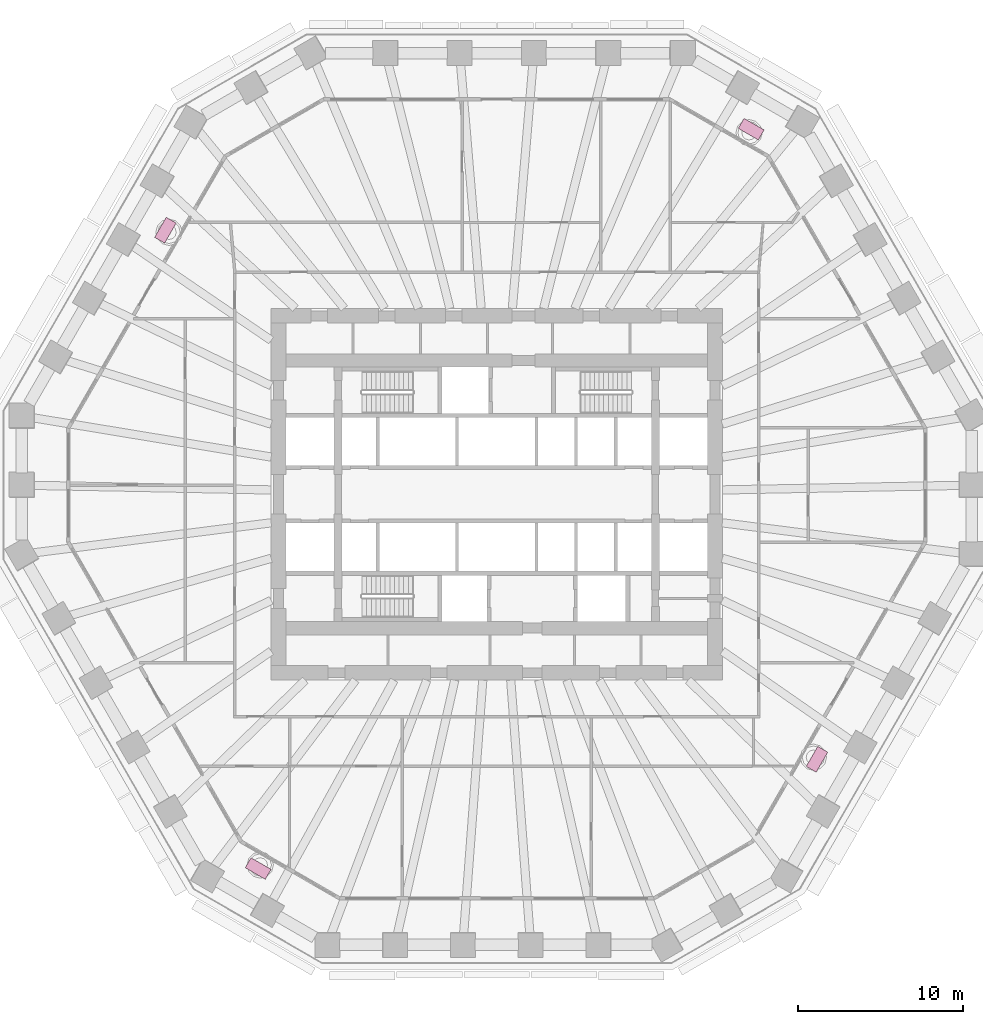
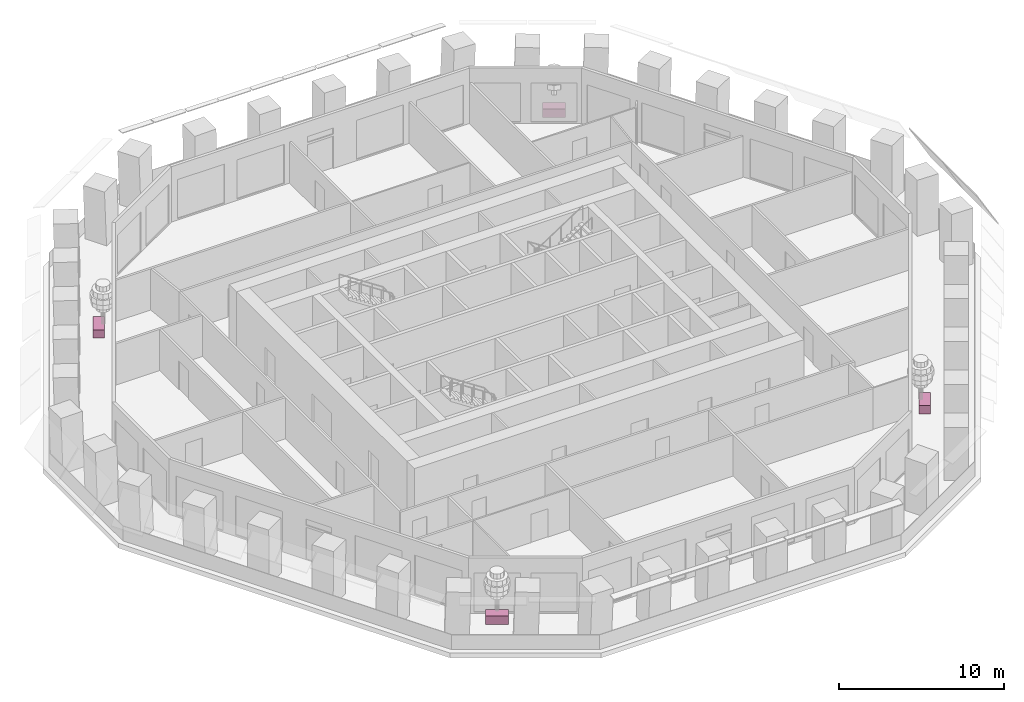
# One storey, part 12 of 13: 4 furniture elements.
"""IFC4 building model written with IfcOpenShell, lengths in metres."""

from ifc_helpers import new_model, si_unit, direction, frame, origin, origin_2d, place, context, subcontext, project, spatial, rectangle, extrude, material, type_object, element, save


model = new_model("IFC4")

# Units and contexts
model_context = context("Model", 3, precision=1e-05, world=origin(), true_north=direction((0.0, 1.0)))
body_context = subcontext(model_context, "Body", "Model", "MODEL_VIEW")
ifc_project = project(units=[si_unit("LENGTHUNIT", "METRE"), si_unit("AREAUNIT", "SQUARE_METRE"), si_unit("VOLUMEUNIT", "CUBIC_METRE"), si_unit("PLANEANGLEUNIT", "RADIAN"), si_unit("MASSUNIT", "GRAM", prefix="KILO")], contexts=[model_context])

# Site, building, storey
site_placement = place(None, origin())
site = spatial("IfcSite", under=ifc_project, at=site_placement, CompositionType="ELEMENT")
building_placement = place(site_placement, origin())
building = spatial("IfcBuilding", under=site, at=building_placement, Name="Frailejon Research Tower", CompositionType="ELEMENT")
storey_placement = place(building_placement, frame((0.0, 0.0, 32.199951171875)))
storey = spatial("IfcBuildingStorey", under=building, at=storey_placement, Name="L07", CompositionType="ELEMENT", Elevation=32.199951171875)

# Furniture
ifc_material = material(Name="Precast concrete C30/37 planter, terracotta", Category="masonry")
furniture_type = type_object("IfcFurnitureType", Name="Loggia planter 1400x700", AssemblyPlace="NOTDEFINED", PredefinedType="USERDEFINED", material=ifc_material)
for number, where, z_axis, x_axis, name in (
    (1, (15.39501953125, 22.0947265625, 0.0), (0.0, 0.0, 1.0), (-0.866025403784, 0.5, 0.0), "Planter L07"),
    (2, (-20.049072265625, 15.980224609375, 0.0), (0.0, 0.0, 1.0), (-0.5, -0.866025403784, 0.0), "Planter L07"),
    (3, (-14.43701171875, -22.647705078125, 0.0), (0.0, 0.0, 1.0), (0.866025403784, -0.5, 0.0), "Planter L07"),
    (4, (19.37841796875, -16.03564453125, 0.0), (0.0, 0.0, 1.0), (0.5, 0.866025403784, 0.0), "Planter L07"),
):
    element("IfcFurniture", number, at=place(storey_placement, frame(where, z_axis=z_axis, x_axis=x_axis)), inside=storey, type_object=furniture_type, Name=name, ObjectType="PLANTER", PredefinedType="USERDEFINED", context=body_context, shape_type="SweptSolid", body=[
        extrude(rectangle(XDim=1.39990234375, YDim=0.699951171875, at=origin_2d()), origin(), (0.0, 0.0, 1.0), 0.60009765625),
    ])

save(model, "model.ifc")
